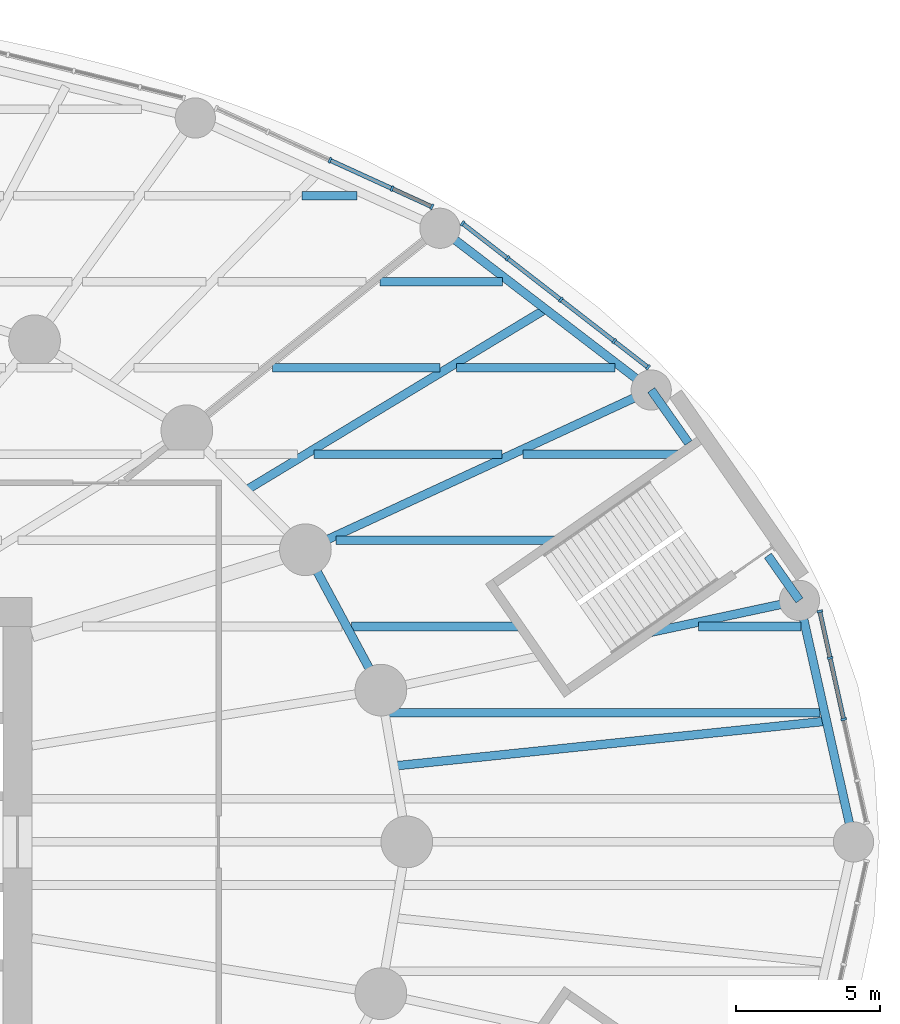
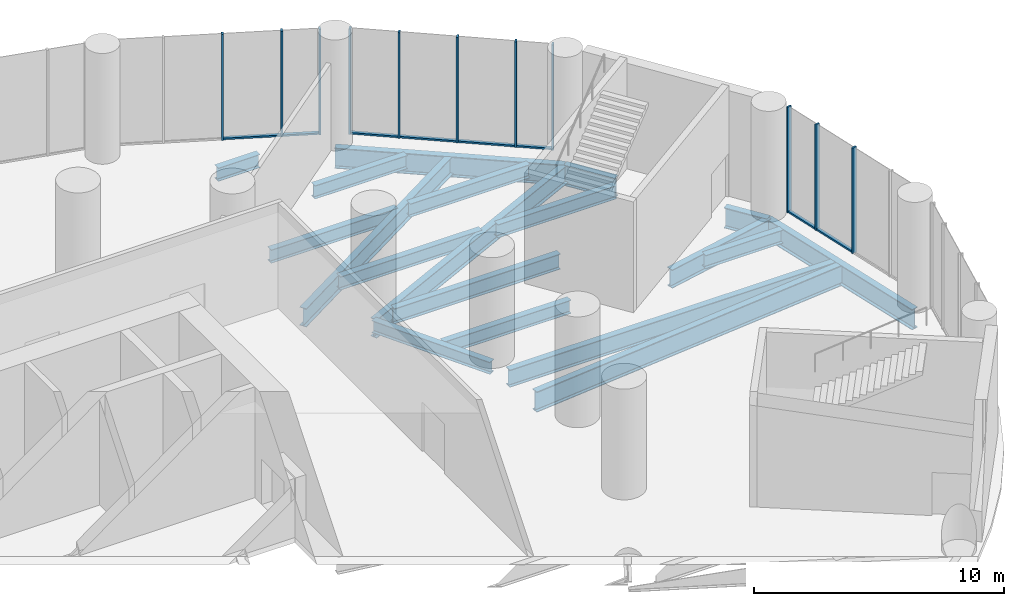
# One storey, part 12 of 21: 19 beams, 19 members, 3 elements without a shape of their own.
"""IFC4 building model written with IfcOpenShell, lengths in metres."""

from ifc_helpers import new_model, si_unit, direction, frame, origin, origin_2d, place, context, subcontext, project, spatial, rectangle, i_section, extrude, material, material_profile, profile_set, type_object, element, aggregate, save


model = new_model("IFC4")

# Units and contexts
model_context = context("Model", 3, precision=1e-05, world=origin(), true_north=direction((0.0, 1.0)))
body_context = subcontext(model_context, "Body", "Model", "MODEL_VIEW")
ifc_project = project(units=[si_unit("LENGTHUNIT", "METRE"), si_unit("AREAUNIT", "SQUARE_METRE"), si_unit("VOLUMEUNIT", "CUBIC_METRE"), si_unit("PLANEANGLEUNIT", "RADIAN"), si_unit("MASSUNIT", "GRAM", prefix="KILO")], contexts=[model_context])

# Site, building, storey
site_placement = place(None, origin())
site = spatial("IfcSite", under=ifc_project, at=site_placement, CompositionType="ELEMENT")
building_placement = place(site_placement, origin())
building = spatial("IfcBuilding", under=site, at=building_placement, Name="Hankou Lantern Tower", CompositionType="ELEMENT")
storey_placement = place(building_placement, frame((0.0, 0.0, 13.800048828125)))
storey = spatial("IfcBuildingStorey", under=building, at=storey_placement, Name="L02", CompositionType="ELEMENT", Elevation=13.800048828125)

# Beam
ifc_material_1 = material(Name="Steel Q355B", Category="steel")
ifc_material_profile_1 = material_profile(ifc_material_1, i_section(OverallWidth=0.300048828125, OverallDepth=0.587890625, WebThickness=0.011962890625, FlangeThickness=0.02001953125, FilletRadius=0.01806640625, at=origin_2d()), Name="HM588x300x12x20")
ifc_profile_set_1 = profile_set([ifc_material_profile_1], Name="Steel Q355B")
beam_type_1 = type_object("IfcBeamType", Name="EB16 RING BEAM HM588x300x12x20", PredefinedType="SPANDREL", material=ifc_profile_set_1)
beam_1_placement = place(storey_placement, frame((24.64697265625, 5.283203125, -0.5439453125), z_axis=(-0.473609096023, 0.880735161194, 0.0), x_axis=(-0.880735161194, -0.473609096023, 0.0)))
element("IfcBeam", 1, at=beam_1_placement, inside=storey, type_object=beam_type_1, Name="Ring beam R02-R03 L02", PredefinedType="SPANDREL", context=body_context, shape_type="SweptSolid", body=[
    extrude(i_section(OverallWidth=0.300048828125, OverallDepth=0.587890625, WebThickness=0.011962890625, FlangeThickness=0.02001953125, FilletRadius=0.01806640625, at=origin_2d()), origin(), (0.0, 0.0, 1.0), 5.548828125),
])

# Curtain wall, members
ifc_material_2 = material(Name="Glass, dark grey tinted laminated", Category="glass")
curtain_wall_type = type_object("IfcCurtainWallType", Name="CWP PODIUM CURTAIN WALL", PredefinedType="USERDEFINED", material=ifc_material_2)
curtain_wall_1_placement = place(storey_placement, origin())
curtain_wall_1 = element("IfcCurtainWall", 2, at=curtain_wall_1_placement, inside=storey, type_object=curtain_wall_type, Name="CWP L02 PC01", ObjectType="PODIUM GLAZING", PredefinedType="USERDEFINED")
ifc_material_3 = material(Name="Aluminium, black anodised", Category="aluminium")
ifc_material_profile_2 = material_profile(ifc_material_3, rectangle(XDim=0.080078125, YDim=0.199951171875, at=origin_2d()), Name="MU2 80X200")
ifc_profile_set_2 = profile_set([ifc_material_profile_2], Name="Aluminium, black anodised")
member_type_1 = type_object("IfcMemberType", Name="MU2 PODIUM MULLION 80X200", PredefinedType="MULLION", material=ifc_profile_set_2)
member_1_placement = place(storey_placement, frame((33.945068359375, 16.520751953125, 0.0), z_axis=(0.0, 0.0, 1.0), x_axis=(-0.790129760642, 0.612939606608, 0.0)))
member_1 = element("IfcMember", 3, at=member_1_placement, type_object=member_type_1, Name="CWP mullion 1", PredefinedType="MULLION", context=body_context, shape_type="SweptSolid", body=[
    extrude(rectangle(XDim=0.080078125, YDim=0.199951171875, at=origin_2d()), origin(), (0.0, 0.0, 1.0), 5.14990234375),
])
member_2_placement = place(storey_placement, frame((32.76806640625, 17.433837890625, 0.0), z_axis=(0.0, 0.0, 1.0), x_axis=(-0.790129760642, 0.612939606608, 0.0)))
member_2 = element("IfcMember", 4, at=member_2_placement, type_object=member_type_1, Name="CWP mullion 2", PredefinedType="MULLION", context=body_context, shape_type="SweptSolid", body=[
    extrude(rectangle(XDim=0.080078125, YDim=0.199951171875, at=origin_2d()), origin(), (0.0, 0.0, 1.0), 5.14990234375),
])
member_3_placement = place(storey_placement, frame((30.91064453125, 18.874755859375, 0.0), z_axis=(0.0, 0.0, 1.0), x_axis=(-0.790129760642, 0.612939606608, 0.0)))
member_3 = element("IfcMember", 5, at=member_3_placement, type_object=member_type_1, Name="CWP mullion 3", PredefinedType="MULLION", context=body_context, shape_type="SweptSolid", body=[
    extrude(rectangle(XDim=0.080078125, YDim=0.199951171875, at=origin_2d()), origin(), (0.0, 0.0, 1.0), 5.14990234375),
])
member_4_placement = place(storey_placement, frame((29.05322265625, 20.315673828125, 0.0), z_axis=(0.0, 0.0, 1.0), x_axis=(-0.790129760642, 0.612939606608, 0.0)))
member_4 = element("IfcMember", 6, at=member_4_placement, type_object=member_type_1, Name="CWP mullion 4", PredefinedType="MULLION", context=body_context, shape_type="SweptSolid", body=[
    extrude(rectangle(XDim=0.080078125, YDim=0.199951171875, at=origin_2d()), origin(), (0.0, 0.0, 1.0), 5.14990234375),
])
member_5_placement = place(storey_placement, frame((27.487060546875, 21.530517578125, 0.0), z_axis=(0.0, 0.0, 1.0), x_axis=(-0.790129760642, 0.612939606608, 0.0)))
member_5 = element("IfcMember", 7, at=member_5_placement, type_object=member_type_1, Name="CWP mullion 5", PredefinedType="MULLION", context=body_context, shape_type="SweptSolid", body=[
    extrude(rectangle(XDim=0.080078125, YDim=0.199951171875, at=origin_2d()), origin(), (0.0, 0.0, 1.0), 5.14990234375),
])

curtain_wall_2_placement = place(storey_placement, origin())
curtain_wall_2 = element("IfcCurtainWall", 8, at=curtain_wall_2_placement, inside=storey, type_object=curtain_wall_type, Name="CWP L02 PC02", ObjectType="PODIUM GLAZING", PredefinedType="USERDEFINED")
member_6_placement = place(storey_placement, frame((26.421630859375, 22.10986328125, 0.0), z_axis=(0.0, 0.0, 1.0), x_axis=(-0.909669790944, 0.41533224224, 0.0)))
member_6 = element("IfcMember", 9, at=member_6_placement, type_object=member_type_1, Name="CWP mullion 1", PredefinedType="MULLION", context=body_context, shape_type="SweptSolid", body=[
    extrude(rectangle(XDim=0.080078125, YDim=0.199951171875, at=origin_2d()), origin(), (0.0, 0.0, 1.0), 5.14990234375),
])
member_7_placement = place(storey_placement, frame((25.034423828125, 22.743408203125, 0.0), z_axis=(0.0, 0.0, 1.0), x_axis=(-0.909669790944, 0.41533224224, 0.0)))
member_7 = element("IfcMember", 10, at=member_7_placement, type_object=member_type_1, Name="CWP mullion 2", PredefinedType="MULLION", context=body_context, shape_type="SweptSolid", body=[
    extrude(rectangle(XDim=0.080078125, YDim=0.199951171875, at=origin_2d()), origin(), (0.0, 0.0, 1.0), 5.14990234375),
])
member_8_placement = place(storey_placement, frame((22.873046875, 23.730224609375, 0.0), z_axis=(0.0, 0.0, 1.0), x_axis=(-0.909669790944, 0.41533224224, 0.0)))
member_8 = element("IfcMember", 11, at=member_8_placement, type_object=member_type_1, Name="CWP mullion 3", PredefinedType="MULLION", context=body_context, shape_type="SweptSolid", body=[
    extrude(rectangle(XDim=0.080078125, YDim=0.199951171875, at=origin_2d()), origin(), (0.0, 0.0, 1.0), 5.14990234375),
])

curtain_wall_3_placement = place(storey_placement, origin())
curtain_wall_3 = element("IfcCurtainWall", 12, at=curtain_wall_3_placement, inside=storey, type_object=curtain_wall_type, Name="CWP L02 PC20", ObjectType="PODIUM GLAZING", PredefinedType="USERDEFINED")
member_9_placement = place(storey_placement, frame((40.7568359375, 4.267333984375, 0.0), z_axis=(0.0, 0.0, 1.0), x_axis=(-0.215821488116, 0.976432837049, 0.0)))
member_9 = element("IfcMember", 13, at=member_9_placement, type_object=member_type_1, Name="CWP mullion 3", PredefinedType="MULLION", context=body_context, shape_type="SweptSolid", body=[
    extrude(rectangle(XDim=0.080078125, YDim=0.199951171875, at=origin_2d()), origin(), (0.0, 0.0, 1.0), 5.14990234375),
])
member_10_placement = place(storey_placement, frame((40.28515625, 6.40087890625, 0.0), z_axis=(0.0, 0.0, 1.0), x_axis=(-0.215821488116, 0.976432837049, 0.0)))
member_10 = element("IfcMember", 14, at=member_10_placement, type_object=member_type_1, Name="CWP mullion 4", PredefinedType="MULLION", context=body_context, shape_type="SweptSolid", body=[
    extrude(rectangle(XDim=0.080078125, YDim=0.199951171875, at=origin_2d()), origin(), (0.0, 0.0, 1.0), 5.14990234375),
])
member_11_placement = place(storey_placement, frame((39.925537109375, 8.028564453125, 0.0), z_axis=(0.0, 0.0, 1.0), x_axis=(-0.215821488116, 0.976432837049, 0.0)))
member_11 = element("IfcMember", 15, at=member_11_placement, type_object=member_type_1, Name="CWP mullion 5", PredefinedType="MULLION", context=body_context, shape_type="SweptSolid", body=[
    extrude(rectangle(XDim=0.080078125, YDim=0.199951171875, at=origin_2d()), origin(), (0.0, 0.0, 1.0), 5.14990234375),
])

# Beams
ifc_material_4 = material(Name="Steel Q355B", Category="steel")
ifc_material_profile_3 = material_profile(ifc_material_4, i_section(OverallWidth=0.300048828125, OverallDepth=0.89990234375, WebThickness=0.01611328125, FlangeThickness=0.028076171875, FilletRadius=0.01806640625, at=origin_2d()), Name="HN900x300x16x28")
ifc_profile_set_3 = profile_set([ifc_material_profile_3], Name="Steel Q355B")
beam_type_2 = type_object("IfcBeamType", Name="PB13 PODIUM RADIAL BEAM HN900x300x16x28", PredefinedType="BEAM", material=ifc_profile_set_3)
beam_2_placement = place(storey_placement, frame((34.01025390625, 7.29052734375, -0.699951171875), z_axis=(0.977788323488, 0.209594834028, 0.0), x_axis=(-0.209594834028, 0.977788323488, 0.0)))
element("IfcBeam", 16, at=beam_2_placement, inside=storey, type_object=beam_type_2, Name="Podium radial beam R02 L02 outer part", PredefinedType="BEAM", context=body_context, shape_type="SweptSolid", body=[
    extrude(i_section(OverallWidth=0.300048828125, OverallDepth=0.89990234375, WebThickness=0.01611328125, FlangeThickness=0.028076171875, FilletRadius=0.01806640625, at=origin_2d()), origin(), (0.0, 0.0, 1.0), 5.32568359375),
])
beam_3_placement = place(storey_placement, frame((22.01904296875, 10.170166015625, -0.699951171875), z_axis=(0.907840792808, 0.419315030633, 0.0), x_axis=(-0.419315030633, 0.907840792808, 0.0)))
element("IfcBeam", 17, at=beam_3_placement, inside=storey, type_object=beam_type_2, Name="Podium radial beam R03 L02", PredefinedType="BEAM", context=body_context, shape_type="SweptSolid", body=[
    extrude(i_section(OverallWidth=0.300048828125, OverallDepth=0.89990234375, WebThickness=0.01611328125, FlangeThickness=0.028076171875, FilletRadius=0.01806640625, at=origin_2d()), origin(), (0.0, 0.0, 1.0), 13.259765625),
])
ifc_material_5 = material(Name="Steel Q355B", Category="steel")
ifc_material_profile_4 = material_profile(ifc_material_5, i_section(OverallWidth=0.300048828125, OverallDepth=1.0, WebThickness=0.01904296875, FlangeThickness=0.035888671875, FilletRadius=0.01806640625, at=origin_2d()), Name="HN1000x300x19x36")
ifc_profile_set_4 = profile_set([ifc_material_profile_4], Name="Steel Q355B")
beam_type_3 = type_object("IfcBeamType", Name="PR22 PODIUM RING BEAM HN1000x300x19x36", PredefinedType="BEAM", material=ifc_profile_set_4)
beam_4_placement = place(storey_placement, frame((41.10009765625, 0.0, -0.75), z_axis=(-0.218523498172, 0.975831686689, 0.0), x_axis=(-0.975831686689, -0.218523498172, 0.0)))
element("IfcBeam", 18, at=beam_4_placement, inside=storey, type_object=beam_type_3, Name="Podium ring beam R01-R02 L02", PredefinedType="BEAM", context=body_context, shape_type="SweptSolid", body=[
    extrude(i_section(OverallWidth=0.300048828125, OverallDepth=1.0, WebThickness=0.01904296875, FlangeThickness=0.035888671875, FilletRadius=0.01806640625, at=origin_2d()), origin(), (0.0, 0.0, 1.0), 8.614990234375),
])
beam_5_placement = place(storey_placement, frame((39.217529296875, 8.40673828125, -0.75), z_axis=(-0.576019631526, 0.817435859317, 0.0), x_axis=(-0.817435859317, -0.576019631526, 0.0)))
element("IfcBeam", 19, at=beam_5_placement, inside=storey, type_object=beam_type_3, Name="Podium ring beam R02-R03 L02 west part", PredefinedType="BEAM", context=body_context, shape_type="SweptSolid", body=[
    extrude(i_section(OverallWidth=0.300048828125, OverallDepth=1.0, WebThickness=0.01904296875, FlangeThickness=0.035888671875, FilletRadius=0.01806640625, at=origin_2d()), origin(), (0.0, 0.0, 1.0), 1.9072265625),
])
beam_6_placement = place(storey_placement, frame((35.35400390625, 13.889404296875, -0.75), z_axis=(-0.576006222853, 0.817445307794, 0.0), x_axis=(-0.817445307794, -0.576006222853, 0.0)))
element("IfcBeam", 20, at=beam_6_placement, inside=storey, type_object=beam_type_3, Name="Podium ring beam R02-R03 L02 east part", PredefinedType="BEAM", context=body_context, shape_type="SweptSolid", body=[
    extrude(i_section(OverallWidth=0.300048828125, OverallDepth=1.0, WebThickness=0.01904296875, FlangeThickness=0.035888671875, FilletRadius=0.01806640625, at=origin_2d()), origin(), (0.0, 0.0, 1.0), 2.251953125),
])
beam_7_placement = place(storey_placement, frame((34.056884765625, 15.730224609375, -0.75), z_axis=(-0.793985875103, 0.607936205647, 0.0), x_axis=(-0.607936205647, -0.793985875103, 0.0)))
element("IfcBeam", 21, at=beam_7_placement, inside=storey, type_object=beam_type_3, Name="Podium ring beam R03-R04 L02", PredefinedType="BEAM", context=body_context, shape_type="SweptSolid", body=[
    extrude(i_section(OverallWidth=0.300048828125, OverallDepth=1.0, WebThickness=0.01904296875, FlangeThickness=0.035888671875, FilletRadius=0.01806640625, at=origin_2d()), origin(), (0.0, 0.0, 1.0), 9.262939453125),
])
ifc_material_6 = material(Name="Steel Q355B", Category="steel")
ifc_material_profile_5 = material_profile(ifc_material_6, i_section(OverallWidth=0.300048828125, OverallDepth=0.89990234375, WebThickness=0.01611328125, FlangeThickness=0.028076171875, FilletRadius=0.01806640625, at=origin_2d()), Name="HN900x300x16x28")
ifc_profile_set_5 = profile_set([ifc_material_profile_5], Name="Steel Q355B")
beam_type_4 = type_object("IfcBeamType", Name="PS13 PODIUM SECONDARY BEAM HN900x300x16x28", PredefinedType="JOIST", material=ifc_profile_set_5)
beam_8_placement = place(storey_placement, frame((19.955322265625, 12.24169921875, -0.699951171875), z_axis=(0.855685755165, 0.517495785884, 0.0), x_axis=(-0.517495785884, 0.855685755165, 0.0)))
element("IfcBeam", 22, at=beam_8_placement, inside=storey, type_object=beam_type_4, Name="Podium secondary beam bay R03 L02", PredefinedType="JOIST", context=body_context, shape_type="SweptSolid", body=[
    extrude(i_section(OverallWidth=0.300048828125, OverallDepth=0.89990234375, WebThickness=0.01611328125, FlangeThickness=0.028076171875, FilletRadius=0.01806640625, at=origin_2d()), origin(), (0.0, 0.0, 1.0), 12.18212890625),
])
ifc_material_7 = material(Name="Steel Q355B", Category="steel")
ifc_material_profile_6 = material_profile(ifc_material_7, i_section(OverallWidth=0.300048828125, OverallDepth=1.0, WebThickness=0.01904296875, FlangeThickness=0.035888671875, FilletRadius=0.01806640625, at=origin_2d()), Name="HN1000x300x19x36")
ifc_profile_set_6 = profile_set([ifc_material_profile_6], Name="Steel Q355B")
beam_type_5 = type_object("IfcBeamType", Name="PS22 PODIUM SECONDARY BEAM HN1000x300x19x36", PredefinedType="JOIST", material=ifc_profile_set_6)
beam_9_placement = place(storey_placement, frame((25.098388671875, 2.6416015625, -0.75), z_axis=(0.994666039581, 0.103147805132, 0.0), x_axis=(-0.103147805132, 0.994666039581, 0.0)))
element("IfcBeam", 23, at=beam_9_placement, inside=storey, type_object=beam_type_5, Name="Podium secondary beam bay R01 L02", PredefinedType="JOIST", context=body_context, shape_type="SweptSolid", body=[
    extrude(i_section(OverallWidth=0.300048828125, OverallDepth=1.0, WebThickness=0.01904296875, FlangeThickness=0.035888671875, FilletRadius=0.01806640625, at=origin_2d()), origin(), (0.0, 0.0, 1.0), 15.14111328125),
])
ifc_material_8 = material(Name="Steel Q355B", Category="steel")
ifc_material_profile_7 = material_profile(ifc_material_8, i_section(OverallWidth=0.300048828125, OverallDepth=0.75, WebThickness=0.012939453125, FlangeThickness=0.02392578125, FilletRadius=0.01806640625, at=origin_2d()), Name="HN750x300x13x24")
ifc_profile_set_7 = profile_set([ifc_material_profile_7], Name="Steel Q355B")
beam_type_6 = type_object("IfcBeamType", Name="SB10 SECONDARY BEAM HN750x300x13x24", PredefinedType="JOIST", material=ifc_profile_set_7)
beam_10_placement = place(storey_placement, frame((23.0908203125, 10.5, -0.625), z_axis=(1.0, 0.0, 0.0), x_axis=(0.0, 1.0, 0.0)))
element("IfcBeam", 24, at=beam_10_placement, inside=storey, type_object=beam_type_6, Name="Floor joist J110 L02", PredefinedType="JOIST", context=body_context, shape_type="SweptSolid", body=[
    extrude(i_section(OverallWidth=0.300048828125, OverallDepth=0.75, WebThickness=0.012939453125, FlangeThickness=0.02392578125, FilletRadius=0.01806640625, at=origin_2d()), origin(), (0.0, 0.0, 1.0), 7.653076171875),
])
ifc_material_9 = material(Name="Steel Q355B", Category="steel")
ifc_material_profile_8 = material_profile(ifc_material_9, i_section(OverallWidth=0.300048828125, OverallDepth=0.85009765625, WebThickness=0.01611328125, FlangeThickness=0.027099609375, FilletRadius=0.01806640625, at=origin_2d()), Name="HN850x300x16x27")
ifc_profile_set_8 = profile_set([ifc_material_profile_8], Name="Steel Q355B")
beam_type_7 = type_object("IfcBeamType", Name="SB12 SECONDARY BEAM HN850x300x16x27", PredefinedType="JOIST", material=ifc_profile_set_8)
beam_11_placement = place(storey_placement, frame((24.93310546875, 4.5, -0.675048828125), z_axis=(1.0, 0.0, 0.0), x_axis=(0.0, 1.0, 0.0)))
element("IfcBeam", 25, at=beam_11_placement, inside=storey, type_object=beam_type_7, Name="Floor joist J094 L02", PredefinedType="JOIST", context=body_context, shape_type="SweptSolid", body=[
    extrude(i_section(OverallWidth=0.300048828125, OverallDepth=0.85009765625, WebThickness=0.01611328125, FlangeThickness=0.027099609375, FilletRadius=0.01806640625, at=origin_2d()), origin(), (0.0, 0.0, 1.0), 15.005615234375),
])
ifc_material_10 = material(Name="Steel Q355B", Category="steel")
ifc_material_profile_9 = material_profile(ifc_material_10, i_section(OverallWidth=0.300048828125, OverallDepth=0.64990234375, WebThickness=0.010986328125, FlangeThickness=0.01708984375, FilletRadius=0.01806640625, at=origin_2d()), Name="HN650x300x11x17")
ifc_profile_set_9 = profile_set([ifc_material_profile_9], Name="Steel Q355B")
beam_type_8 = type_object("IfcBeamType", Name="SB8 SECONDARY BEAM HN650x300x11x17", PredefinedType="JOIST", material=ifc_profile_set_9)
beam_12_placement = place(storey_placement, frame((23.625244140625, 7.5, -0.574951171875), z_axis=(1.0, 0.0, 0.0), x_axis=(0.0, 1.0, 0.0)))
element("IfcBeam", 26, at=beam_12_placement, inside=storey, type_object=beam_type_8, Name="Floor joist J099 L02", PredefinedType="JOIST", context=body_context, shape_type="SweptSolid", body=[
    extrude(i_section(OverallWidth=0.300048828125, OverallDepth=0.64990234375, WebThickness=0.010986328125, FlangeThickness=0.01708984375, FilletRadius=0.01806640625, at=origin_2d()), origin(), (0.0, 0.0, 1.0), 5.87158203125),
])
beam_13_placement = place(storey_placement, frame((35.70361328125, 7.5, -0.574951171875), z_axis=(1.0, 0.0, 0.0), x_axis=(0.0, 1.0, 0.0)))
element("IfcBeam", 27, at=beam_13_placement, inside=storey, type_object=beam_type_8, Name="Floor joist J100 L02", PredefinedType="JOIST", context=body_context, shape_type="SweptSolid", body=[
    extrude(i_section(OverallWidth=0.300048828125, OverallDepth=0.64990234375, WebThickness=0.010986328125, FlangeThickness=0.01708984375, FilletRadius=0.01806640625, at=origin_2d()), origin(), (0.0, 0.0, 1.0), 3.563232421875),
])
beam_14_placement = place(storey_placement, frame((22.32568359375, 13.5, -0.574951171875), z_axis=(1.0, 0.0, 0.0), x_axis=(0.0, 1.0, 0.0)))
element("IfcBeam", 28, at=beam_14_placement, inside=storey, type_object=beam_type_8, Name="Floor joist J123 L02", PredefinedType="JOIST", context=body_context, shape_type="SweptSolid", body=[
    extrude(i_section(OverallWidth=0.300048828125, OverallDepth=0.64990234375, WebThickness=0.010986328125, FlangeThickness=0.01708984375, FilletRadius=0.01806640625, at=origin_2d()), origin(), (0.0, 0.0, 1.0), 6.544921875),
])
beam_15_placement = place(storey_placement, frame((29.586181640625, 13.5, -0.574951171875), z_axis=(1.0, 0.0, 0.0), x_axis=(0.0, 1.0, 0.0)))
element("IfcBeam", 29, at=beam_15_placement, inside=storey, type_object=beam_type_8, Name="Floor joist J124 L02", PredefinedType="JOIST", context=body_context, shape_type="SweptSolid", body=[
    extrude(i_section(OverallWidth=0.300048828125, OverallDepth=0.64990234375, WebThickness=0.010986328125, FlangeThickness=0.01708984375, FilletRadius=0.01806640625, at=origin_2d()), origin(), (0.0, 0.0, 1.0), 5.470703125),
])
beam_16_placement = place(storey_placement, frame((20.865234375, 16.5, -0.574951171875), z_axis=(1.0, 0.0, 0.0), x_axis=(0.0, 1.0, 0.0)))
element("IfcBeam", 30, at=beam_16_placement, inside=storey, type_object=beam_type_8, Name="Floor joist J135 L02", PredefinedType="JOIST", context=body_context, shape_type="SweptSolid", body=[
    extrude(i_section(OverallWidth=0.300048828125, OverallDepth=0.64990234375, WebThickness=0.010986328125, FlangeThickness=0.01708984375, FilletRadius=0.01806640625, at=origin_2d()), origin(), (0.0, 0.0, 1.0), 5.84130859375),
])
beam_17_placement = place(storey_placement, frame((27.286376953125, 16.5, -0.574951171875), z_axis=(1.0, 0.0, 0.0), x_axis=(0.0, 1.0, 0.0)))
element("IfcBeam", 31, at=beam_17_placement, inside=storey, type_object=beam_type_8, Name="Floor joist J136 L02", PredefinedType="JOIST", context=body_context, shape_type="SweptSolid", body=[
    extrude(i_section(OverallWidth=0.300048828125, OverallDepth=0.64990234375, WebThickness=0.010986328125, FlangeThickness=0.01708984375, FilletRadius=0.01806640625, at=origin_2d()), origin(), (0.0, 0.0, 1.0), 5.518310546875),
])
beam_18_placement = place(storey_placement, frame((24.615234375, 19.5, -0.574951171875), z_axis=(1.0, 0.0, 0.0), x_axis=(0.0, 1.0, 0.0)))
element("IfcBeam", 32, at=beam_18_placement, inside=storey, type_object=beam_type_8, Name="Floor joist J148 L02", PredefinedType="JOIST", context=body_context, shape_type="SweptSolid", body=[
    extrude(i_section(OverallWidth=0.300048828125, OverallDepth=0.64990234375, WebThickness=0.010986328125, FlangeThickness=0.01708984375, FilletRadius=0.01806640625, at=origin_2d()), origin(), (0.0, 0.0, 1.0), 4.271484375),
])
beam_19_placement = place(storey_placement, frame((21.893798828125, 22.5, -0.574951171875), z_axis=(1.0, 0.0, 0.0), x_axis=(0.0, 1.0, 0.0)))
element("IfcBeam", 33, at=beam_19_placement, inside=storey, type_object=beam_type_8, Name="Floor joist J160 L02", PredefinedType="JOIST", context=body_context, shape_type="SweptSolid", body=[
    extrude(i_section(OverallWidth=0.300048828125, OverallDepth=0.64990234375, WebThickness=0.010986328125, FlangeThickness=0.01708984375, FilletRadius=0.01806640625, at=origin_2d()), origin(), (0.0, 0.0, 1.0), 1.917236328125),
])

# Member
ifc_material_11 = material(Name="Aluminium, black anodised", Category="aluminium")
ifc_material_profile_10 = material_profile(ifc_material_11, rectangle(XDim=0.14990234375, YDim=0.080078125, at=origin_2d()), Name="TR2 150X80")
ifc_profile_set_10 = profile_set([ifc_material_profile_10], Name="Aluminium, black anodised")
member_type_2 = type_object("IfcMemberType", Name="TR2 PODIUM TRANSOM 150X80", PredefinedType="USERDEFINED", material=ifc_profile_set_10)
member_12_placement = place(storey_placement, frame((33.913330078125, 16.54541015625, 0.0400390625), z_axis=(-0.790144462034, 0.612920654829, 0.0), x_axis=(-0.612920654829, -0.790144462034, 0.0)))
member_12 = element("IfcMember", 34, at=member_12_placement, type_object=member_type_2, Name="CWP transom 1", ObjectType="TRANSOM", PredefinedType="USERDEFINED", context=body_context, shape_type="SweptSolid", body=[
    extrude(rectangle(XDim=0.14990234375, YDim=0.080078125, at=origin_2d()), origin(), (0.0, 0.0, 1.0), 1.4091796875),
])

member_13_placement = place(storey_placement, frame((32.736572265625, 17.458251953125, 0.0400390625), z_axis=(-0.79016773701, 0.612890648802, 0.0), x_axis=(-0.612890648802, -0.79016773701, 0.0)))
member_13 = element("IfcMember", 35, at=member_13_placement, type_object=member_type_2, Name="CWP transom 2", ObjectType="TRANSOM", PredefinedType="USERDEFINED", context=body_context, shape_type="SweptSolid", body=[
    extrude(rectangle(XDim=0.14990234375, YDim=0.080078125, at=origin_2d()), origin(), (0.0, 0.0, 1.0), 2.27099609375),
])

member_14_placement = place(storey_placement, frame((30.879150390625, 18.899169921875, 0.0400390625), z_axis=(-0.79016773701, 0.612890648802, 0.0), x_axis=(-0.612890648802, -0.79016773701, 0.0)))
member_14 = element("IfcMember", 36, at=member_14_placement, type_object=member_type_2, Name="CWP transom 3", ObjectType="TRANSOM", PredefinedType="USERDEFINED", context=body_context, shape_type="SweptSolid", body=[
    extrude(rectangle(XDim=0.14990234375, YDim=0.080078125, at=origin_2d()), origin(), (0.0, 0.0, 1.0), 2.27099609375),
])

member_15_placement = place(storey_placement, frame((29.021484375, 20.340087890625, 0.0400390625), z_axis=(-0.790098015443, 0.612980526601, 0.0), x_axis=(-0.612980526601, -0.790098015443, 0.0)))
member_15 = element("IfcMember", 37, at=member_15_placement, type_object=member_type_2, Name="CWP transom 4", ObjectType="TRANSOM", PredefinedType="USERDEFINED", context=body_context, shape_type="SweptSolid", body=[
    extrude(rectangle(XDim=0.14990234375, YDim=0.080078125, at=origin_2d()), origin(), (0.0, 0.0, 1.0), 1.902099609375),
])

aggregate(curtain_wall_1, [member_1, member_2, member_3, member_4, member_5, member_12, member_13, member_14, member_15])

member_16_placement = place(storey_placement, frame((26.38525390625, 22.126708984375, 0.0400390625), z_axis=(-0.909682453266, 0.415304507825, 0.0), x_axis=(-0.415304507825, -0.909682453266, 0.0)))
member_16 = element("IfcMember", 38, at=member_16_placement, type_object=member_type_2, Name="CWP transom 1", ObjectType="TRANSOM", PredefinedType="USERDEFINED", context=body_context, shape_type="SweptSolid", body=[
    extrude(rectangle(XDim=0.14990234375, YDim=0.080078125, at=origin_2d()), origin(), (0.0, 0.0, 1.0), 1.445068359375),
])

member_17_placement = place(storey_placement, frame((24.998046875, 22.760009765625, 0.0400390625), z_axis=(-0.909669664149, 0.415332519949, 0.0), x_axis=(-0.415332519949, -0.909669664149, 0.0)))
member_17 = element("IfcMember", 39, at=member_17_placement, type_object=member_type_2, Name="CWP transom 2", ObjectType="TRANSOM", PredefinedType="USERDEFINED", context=body_context, shape_type="SweptSolid", body=[
    extrude(rectangle(XDim=0.14990234375, YDim=0.080078125, at=origin_2d()), origin(), (0.0, 0.0, 1.0), 2.296142578125),
])

aggregate(curtain_wall_2, [member_6, member_7, member_8, member_16, member_17])

member_18_placement = place(storey_placement, frame((40.748291015625, 4.30615234375, 0.0400390625), z_axis=(-0.215812948044, 0.976434724627, 0.0), x_axis=(-0.976434724627, -0.215812948044, 0.0)))
member_18 = element("IfcMember", 40, at=member_18_placement, type_object=member_type_2, Name="CWP transom 3", ObjectType="TRANSOM", PredefinedType="USERDEFINED", context=body_context, shape_type="SweptSolid", body=[
    extrude(rectangle(XDim=0.14990234375, YDim=0.080078125, at=origin_2d()), origin(), (0.0, 0.0, 1.0), 2.105224609375),
])

member_19_placement = place(storey_placement, frame((40.276611328125, 6.43994140625, 0.0400390625), z_axis=(-0.215838955929, 0.976428975965, 0.0), x_axis=(-0.976428975965, -0.215838955929, 0.0)))
member_19 = element("IfcMember", 41, at=member_19_placement, type_object=member_type_2, Name="CWP transom 4", ObjectType="TRANSOM", PredefinedType="USERDEFINED", context=body_context, shape_type="SweptSolid", body=[
    extrude(rectangle(XDim=0.14990234375, YDim=0.080078125, at=origin_2d()), origin(), (0.0, 0.0, 1.0), 1.5869140625),
])

aggregate(curtain_wall_3, [member_9, member_10, member_11, member_18, member_19])

save(model, "model.ifc")
